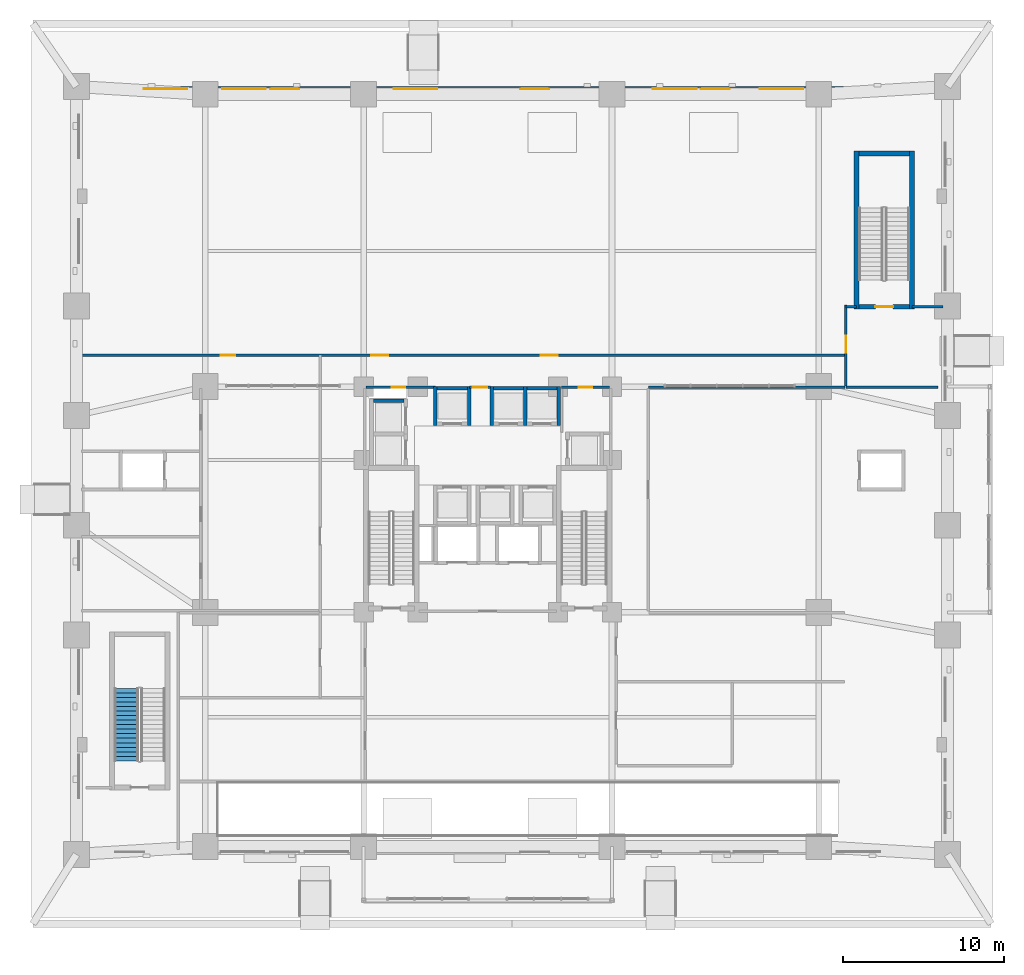
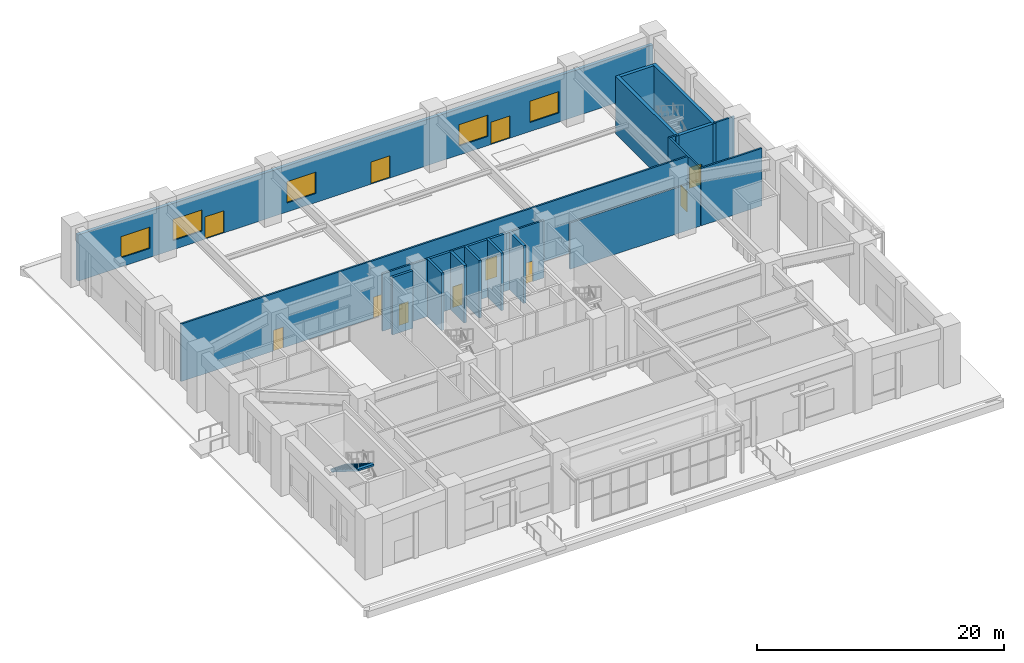
# One storey, part 16 of 24: 23 walls, 11 doors, 5 windows, 1 stair flight, 16 openings, 1 element without a shape of its own.
"""IFC4 building model written with IfcOpenShell, lengths in metres."""

from ifc_helpers import new_model, si_unit, derived_unit, direction, frame, frame_2d, origin, place, context, subcontext, project, spatial, polyline, rectangle, outline, extrude, material, layer, layer_set, type_object, element, fill, aggregate, save


model = new_model("IFC4")

# Units and contexts
model_context = context("Model", 3, precision=1e-05, world=origin(), true_north=direction((0.0, 1.0)))
body_context = subcontext(model_context, "Body", "Model", "MODEL_VIEW")
ifc_project = project(units=[si_unit("LENGTHUNIT", "METRE"), si_unit("AREAUNIT", "SQUARE_METRE"), si_unit("VOLUMEUNIT", "CUBIC_METRE"), si_unit("PLANEANGLEUNIT", "RADIAN"), si_unit("MASSUNIT", "GRAM", prefix="KILO"), derived_unit("THERMALTRANSMITTANCEUNIT", [(si_unit("MASSUNIT", "GRAM", prefix="KILO"), 1), (si_unit("TIMEUNIT", "SECOND"), -3), (si_unit("THERMODYNAMICTEMPERATUREUNIT", "KELVIN"), -1)])], contexts=[model_context])

# Site, building, storey
site_placement = place(None, origin())
site = spatial("IfcSite", under=ifc_project, at=site_placement, CompositionType="ELEMENT")
building_placement = place(site_placement, origin())
building = spatial("IfcBuilding", under=site, at=building_placement, Name="Korrvale Station Residences", CompositionType="ELEMENT")
storey_placement = place(building_placement, origin())
storey = spatial("IfcBuildingStorey", under=building, at=storey_placement, Name="L00", CompositionType="ELEMENT", Elevation=0.0)

# Walls
ifc_material_1 = material(Name="Concrete C70/85", Category="concrete")
ifc_layer_1 = layer(ifc_material_1, 0.300048828125, Name="Concrete C70/85")
ifc_layer_set_1 = layer_set([ifc_layer_1], Name="Concrete C70/85")
wall_type_1 = type_object("IfcWallType", Name="WAL-CORE-300-C70", PredefinedType="SHEAR", material=ifc_layer_set_1)
for number, where, z_axis, x_axis, name in (
    (1, (48.35009765625, 33.800048828125, 0.0), (0.0, 0.0, 1.0), (0.0, 1.0, 0.0), "L00 ST-4 Core Shear Wall West"),
    (2, (51.800048828125, 33.800048828125, 0.0), (0.0, 0.0, 1.0), (0.0, 1.0, 0.0), "L00 ST-4 Core Shear Wall East"),
):
    element("IfcWall", number, at=place(storey_placement, frame(where, z_axis=z_axis, x_axis=x_axis)), inside=storey, type_object=wall_type_1, Name=name, PredefinedType="SHEAR", context=body_context, shape_type="SweptSolid", body=[
        extrude(rectangle(XDim=9.800048828125, YDim=0.300048828125, at=frame_2d((4.89990234375, 0.0))), origin(), (0.0, 0.0, 1.0), 5.679931640625),
    ])
wall_1_placement = place(storey_placement, frame((48.5, 43.449951171875, 0.0), z_axis=(0.0, 0.0, 1.0), x_axis=(1.0, 0.0, 0.0)))
element("IfcWall", 3, at=wall_1_placement, inside=storey, type_object=wall_type_1, Name="L00 ST-4 Core Shear Wall North", PredefinedType="SHEAR", context=body_context, shape_type="SweptSolid", body=[
    extrude(rectangle(XDim=3.14990234375, YDim=0.300048828125, at=frame_2d((1.574951171875, 0.0))), origin(), (0.0, 0.0, 1.0), 5.679931640625),
])

# Wall, opening, door
wall_2_placement = place(storey_placement, frame((48.5, 33.949951171875, 0.0), z_axis=(0.0, 0.0, 1.0), x_axis=(1.0, 0.0, 0.0)))
wall_2 = element("IfcWall", 4, at=wall_2_placement, inside=storey, type_object=wall_type_1, Name="L00 ST-4 Core Shear Wall South", PredefinedType="SHEAR", context=body_context, shape_type="SweptSolid", body=[
    extrude(rectangle(XDim=3.14990234375, YDim=0.300048828125, at=frame_2d((1.574951171875, 0.0))), origin(), (0.0, 0.0, 1.0), 5.679931640625),
])
opening_1_placement = place(wall_2_placement, frame((1.02001953125, 0.0, 0.0)))
opening_1 = element("IfcOpeningElement", 5, at=opening_1_placement, cuts=wall_2, Name="Opening SD-1100", PredefinedType="OPENING", context=body_context, shape_type="SweptSolid", body=[
    extrude(rectangle(XDim=1.10009765625, YDim=2.050048828125, at=frame_2d((0.550048828125, 1.02490234375))), frame((0.0, 0.16015625, 0.0), z_axis=(0.0, -1.0, 0.0), x_axis=(1.0, 0.0, 0.0)), (0.0, 0.0, 1.0), 0.320068359375),
])
ifc_material_2 = material(Name="Hollow-metal fire-rated stair door with closer", Category="steel")
door_type_1 = type_object("IfcDoorType", Name="DR-STAIR-1100", OperationType="NOTDEFINED", PredefinedType="DOOR", material=ifc_material_2)
door_1_placement = place(opening_1_placement, origin())
door_1 = element("IfcDoor", 6, at=door_1_placement, inside=storey, type_object=door_type_1, Name="L00 ST-4 Exit Stair Door", OperationType="SINGLE_SWING_RIGHT", OverallHeight=2.050048828125, OverallWidth=1.10009765625, PredefinedType="DOOR", context=body_context, shape_type="SweptSolid", body=[
    extrude(rectangle(XDim=1.10009765625, YDim=2.050048828125, at=frame_2d((0.550048828125, 1.02490234375))), frame((0.0, 0.02490234375, 0.0), z_axis=(0.0, -1.0, 0.0), x_axis=(1.0, 0.0, 0.0)), (0.0, 0.0, 1.0), 0.050048828125),
])
fill(opening_1, door_1)

# Wall, openings, doors, windows
ifc_material_3 = material(Name="Precast concrete C45/55", Category="concrete")
ifc_layer_2 = layer(ifc_material_3, 0.300048828125, Name="Precast concrete C45/55")
ifc_layer_set_2 = layer_set([ifc_layer_2], Name="Precast concrete C45/55")
wall_type_2 = type_object("IfcWallType", Name="WAL-EXT-PC300", PredefinedType="SOLIDWALL", material=ifc_layer_set_2)
wall_3_placement = place(storey_placement, frame((0.159912109375, 47.449951171875, 0.0), z_axis=(0.0, 0.0, 1.0), x_axis=(1.0, 0.0, 0.0)))
wall_3 = element("IfcWall", 7, at=wall_3_placement, inside=storey, type_object=wall_type_2, Name="L00 North Exterior Precast Wall 1", PredefinedType="SOLIDWALL", context=body_context, shape_type="SweptSolid", body=[
    extrude(rectangle(XDim=53.68017578125, YDim=0.300048828125, at=frame_2d((26.840087890625, 0.0))), origin(), (0.0, 0.0, 1.0), 4.56494140625),
])
opening_2_placement = place(wall_3_placement, frame((27.340087890625, 0.0, 0.0)))
opening_2 = element("IfcOpeningElement", 8, at=opening_2_placement, cuts=wall_3, Name="Opening ED-01", PredefinedType="OPENING", context=body_context, shape_type="SweptSolid", body=[
    extrude(rectangle(XDim=1.800048828125, YDim=2.199951171875, at=frame_2d((0.89990234375, 1.10009765625))), frame((0.0, 0.16015625, 0.0), z_axis=(0.0, -1.0, 0.0), x_axis=(1.0, 0.0, 0.0)), (0.0, 0.0, 1.0), 0.320068359375),
])
opening_3_placement = place(wall_3_placement, frame((11.840087890625, 0.0, 0.0)))
opening_3 = element("IfcOpeningElement", 9, at=opening_3_placement, cuts=wall_3, Name="Opening ED-01", PredefinedType="OPENING", context=body_context, shape_type="SweptSolid", body=[
    extrude(rectangle(XDim=1.800048828125, YDim=2.199951171875, at=frame_2d((0.89990234375, 1.10009765625))), frame((0.0, 0.16015625, 0.0), z_axis=(0.0, -1.0, 0.0), x_axis=(1.0, 0.0, 0.0)), (0.0, 0.0, 1.0), 0.320068359375),
])
opening_4_placement = place(wall_3_placement, frame((38.5400390625, 0.0, 0.0)))
opening_4 = element("IfcOpeningElement", 10, at=opening_4_placement, cuts=wall_3, Name="Opening ED-01", PredefinedType="OPENING", context=body_context, shape_type="SweptSolid", body=[
    extrude(rectangle(XDim=1.800048828125, YDim=2.199951171875, at=frame_2d((0.89990234375, 1.10009765625))), frame((0.0, 0.16015625, 0.0), z_axis=(0.0, -1.0, 0.0), x_axis=(1.0, 0.0, 0.0)), (0.0, 0.0, 1.0), 0.320068359375),
])
opening_5_placement = place(wall_3_placement, frame((4.0, 0.0, 0.89990234375)))
opening_5 = element("IfcOpeningElement", 11, at=opening_5_placement, cuts=wall_3, Name="Opening W-07", PredefinedType="OPENING", context=body_context, shape_type="SweptSolid", body=[
    extrude(rectangle(XDim=2.699951171875, YDim=2.10009765625, at=frame_2d((1.35009765625, 1.050048828125))), frame((0.0, 0.16015625, 0.0), z_axis=(0.0, -1.0, 0.0), x_axis=(1.0, 0.0, 0.0)), (0.0, 0.0, 1.0), 0.320068359375),
])
opening_6_placement = place(wall_3_placement, frame((8.8798828125, 0.0, 0.89990234375)))
opening_6 = element("IfcOpeningElement", 12, at=opening_6_placement, cuts=wall_3, Name="Opening W-07", PredefinedType="OPENING", context=body_context, shape_type="SweptSolid", body=[
    extrude(rectangle(XDim=2.699951171875, YDim=2.10009765625, at=frame_2d((1.35009765625, 1.050048828125))), frame((0.0, 0.16015625, 0.0), z_axis=(0.0, -1.0, 0.0), x_axis=(1.0, 0.0, 0.0)), (0.0, 0.0, 1.0), 0.320068359375),
])
opening_7_placement = place(wall_3_placement, frame((19.5, 0.0, 0.89990234375)))
opening_7 = element("IfcOpeningElement", 13, at=opening_7_placement, cuts=wall_3, Name="Opening W-07", PredefinedType="OPENING", context=body_context, shape_type="SweptSolid", body=[
    extrude(rectangle(XDim=2.699951171875, YDim=2.10009765625, at=frame_2d((1.35009765625, 1.050048828125))), frame((0.0, 0.16015625, 0.0), z_axis=(0.0, -1.0, 0.0), x_axis=(1.0, 0.0, 0.0)), (0.0, 0.0, 1.0), 0.320068359375),
])
opening_8_placement = place(wall_3_placement, frame((35.580078125, 0.0, 0.89990234375)))
opening_8 = element("IfcOpeningElement", 14, at=opening_8_placement, cuts=wall_3, Name="Opening W-07", PredefinedType="OPENING", context=body_context, shape_type="SweptSolid", body=[
    extrude(rectangle(XDim=2.699951171875, YDim=2.10009765625, at=frame_2d((1.35009765625, 1.050048828125))), frame((0.0, 0.16015625, 0.0), z_axis=(0.0, -1.0, 0.0), x_axis=(1.0, 0.0, 0.0)), (0.0, 0.0, 1.0), 0.320068359375),
])
opening_9_placement = place(wall_3_placement, frame((42.199951171875, 0.0, 0.89990234375)))
opening_9 = element("IfcOpeningElement", 15, at=opening_9_placement, cuts=wall_3, Name="Opening W-07", PredefinedType="OPENING", context=body_context, shape_type="SweptSolid", body=[
    extrude(rectangle(XDim=2.699951171875, YDim=2.10009765625, at=frame_2d((1.35009765625, 1.050048828125))), frame((0.0, 0.16015625, 0.0), z_axis=(0.0, -1.0, 0.0), x_axis=(1.0, 0.0, 0.0)), (0.0, 0.0, 1.0), 0.320068359375),
])
ifc_material_4 = material(Name="Thermally broken glazed aluminium entrance door", Category="aluminium")
door_type_2 = type_object("IfcDoorType", Name="DR-EXT-EXIT", OperationType="DOUBLE_SWING_LEFT", PredefinedType="DOOR", material=ifc_material_4)
door_2_placement = place(opening_2_placement, origin())
door_2 = element("IfcDoor", 16, at=door_2_placement, inside=storey, type_object=door_type_2, Name="North Station Concourse Main Entrance Door", OperationType="DOUBLE_SWING_LEFT", OverallHeight=2.199951171875, OverallWidth=1.800048828125, PredefinedType="DOOR", context=body_context, shape_type="SweptSolid", body=[
    extrude(rectangle(XDim=1.800048828125, YDim=2.199951171875, at=frame_2d((0.89990234375, 1.10009765625))), frame((0.0, 0.02490234375, 0.0), z_axis=(0.0, -1.0, 0.0), x_axis=(1.0, 0.0, 0.0)), (0.0, 0.0, 1.0), 0.050048828125),
])
fill(opening_2, door_2)
door_3_placement = place(opening_3_placement, origin())
door_3 = element("IfcDoor", 17, at=door_3_placement, inside=storey, type_object=door_type_2, Name="North West Station Plaza Exit Door", OperationType="DOUBLE_SWING_LEFT", OverallHeight=2.199951171875, OverallWidth=1.800048828125, PredefinedType="DOOR", context=body_context, shape_type="SweptSolid", body=[
    extrude(rectangle(XDim=1.800048828125, YDim=2.199951171875, at=frame_2d((0.89990234375, 1.10009765625))), frame((0.0, 0.02490234375, 0.0), z_axis=(0.0, -1.0, 0.0), x_axis=(1.0, 0.0, 0.0)), (0.0, 0.0, 1.0), 0.050048828125),
])
fill(opening_3, door_3)
door_4_placement = place(opening_4_placement, origin())
door_4 = element("IfcDoor", 18, at=door_4_placement, inside=storey, type_object=door_type_2, Name="North East Station Plaza Exit Door", OperationType="DOUBLE_SWING_LEFT", OverallHeight=2.199951171875, OverallWidth=1.800048828125, PredefinedType="DOOR", context=body_context, shape_type="SweptSolid", body=[
    extrude(rectangle(XDim=1.800048828125, YDim=2.199951171875, at=frame_2d((0.89990234375, 1.10009765625))), frame((0.0, 0.02490234375, 0.0), z_axis=(0.0, -1.0, 0.0), x_axis=(1.0, 0.0, 0.0)), (0.0, 0.0, 1.0), 0.050048828125),
])
fill(opening_4, door_4)
ifc_material_5 = material(Name="Thermally broken aluminium frame with triple low-e glazing", Category="aluminium")
window_type = type_object("IfcWindowType", Name="WIN-W07", PartitioningType="TRIPLE_PANEL_VERTICAL", PredefinedType="WINDOW", material=ifc_material_5)
window_1_placement = place(opening_5_placement, origin())
window_1 = element("IfcWindow", 19, at=window_1_placement, inside=storey, type_object=window_type, Name="L00 Station Concourse Punched Window 01", OverallHeight=2.10009765625, OverallWidth=2.699951171875, PartitioningType="TRIPLE_PANEL_VERTICAL", PredefinedType="WINDOW", context=body_context, shape_type="SweptSolid", body=[
    extrude(rectangle(XDim=2.699951171875, YDim=2.10009765625, at=frame_2d((1.35009765625, 1.050048828125))), frame((0.0, 0.030029296875, 0.0), z_axis=(0.0, -1.0, 0.0), x_axis=(1.0, 0.0, 0.0)), (0.0, 0.0, 1.0), 0.06005859375),
])
fill(opening_5, window_1)
window_2_placement = place(opening_6_placement, origin())
window_2 = element("IfcWindow", 20, at=window_2_placement, inside=storey, type_object=window_type, Name="L00 Station Concourse Punched Window 02", OverallHeight=2.10009765625, OverallWidth=2.699951171875, PartitioningType="TRIPLE_PANEL_VERTICAL", PredefinedType="WINDOW", context=body_context, shape_type="SweptSolid", body=[
    extrude(rectangle(XDim=2.699951171875, YDim=2.10009765625, at=frame_2d((1.35009765625, 1.050048828125))), frame((0.0, 0.030029296875, 0.0), z_axis=(0.0, -1.0, 0.0), x_axis=(1.0, 0.0, 0.0)), (0.0, 0.0, 1.0), 0.06005859375),
])
fill(opening_6, window_2)
window_3_placement = place(opening_7_placement, origin())
window_3 = element("IfcWindow", 21, at=window_3_placement, inside=storey, type_object=window_type, Name="L00 Station Concourse Punched Window 03", OverallHeight=2.10009765625, OverallWidth=2.699951171875, PartitioningType="TRIPLE_PANEL_VERTICAL", PredefinedType="WINDOW", context=body_context, shape_type="SweptSolid", body=[
    extrude(rectangle(XDim=2.699951171875, YDim=2.10009765625, at=frame_2d((1.35009765625, 1.050048828125))), frame((0.0, 0.030029296875, 0.0), z_axis=(0.0, -1.0, 0.0), x_axis=(1.0, 0.0, 0.0)), (0.0, 0.0, 1.0), 0.06005859375),
])
fill(opening_7, window_3)
window_4_placement = place(opening_8_placement, origin())
window_4 = element("IfcWindow", 22, at=window_4_placement, inside=storey, type_object=window_type, Name="L00 Station Concourse Punched Window 04", OverallHeight=2.10009765625, OverallWidth=2.699951171875, PartitioningType="TRIPLE_PANEL_VERTICAL", PredefinedType="WINDOW", context=body_context, shape_type="SweptSolid", body=[
    extrude(rectangle(XDim=2.699951171875, YDim=2.10009765625, at=frame_2d((1.35009765625, 1.050048828125))), frame((0.0, 0.030029296875, 0.0), z_axis=(0.0, -1.0, 0.0), x_axis=(1.0, 0.0, 0.0)), (0.0, 0.0, 1.0), 0.06005859375),
])
fill(opening_8, window_4)
window_5_placement = place(opening_9_placement, origin())
window_5 = element("IfcWindow", 23, at=window_5_placement, inside=storey, type_object=window_type, Name="L00 Station Concourse Punched Window 05", OverallHeight=2.10009765625, OverallWidth=2.699951171875, PartitioningType="TRIPLE_PANEL_VERTICAL", PredefinedType="WINDOW", context=body_context, shape_type="SweptSolid", body=[
    extrude(rectangle(XDim=2.699951171875, YDim=2.10009765625, at=frame_2d((1.35009765625, 1.050048828125))), frame((0.0, 0.030029296875, 0.0), z_axis=(0.0, -1.0, 0.0), x_axis=(1.0, 0.0, 0.0)), (0.0, 0.0, 1.0), 0.06005859375),
])
fill(opening_9, window_5)

# Wall, opening, door
ifc_material_6 = material(Name="Fire-rated twin-stud gypsum and mineral wool shaftwall assembly", Category="gypsum")
ifc_layer_3 = layer(ifc_material_6, 0.159912109375, Name="Fire-rated twin-stud gypsum and mineral wool shaftwall assembly")
ifc_layer_set_3 = layer_set([ifc_layer_3], Name="Fire-rated twin-stud gypsum and mineral wool shaftwall assembly")
wall_type_3 = type_object("IfcWallType", Name="WAL-PART-200", PredefinedType="PARTITIONING", material=ifc_layer_set_3)
wall_4_placement = place(storey_placement, frame((24.360107421875, 28.949951171875, 0.0), z_axis=(0.0, 0.0, 1.0), x_axis=(1.0, 0.0, 0.0)))
wall_4 = element("IfcWall", 24, at=wall_4_placement, inside=storey, type_object=wall_type_3, Name="L00 Core Partition CW-LLOB-N", PredefinedType="PARTITIONING", context=body_context, shape_type="SweptSolid", body=[
    extrude(rectangle(XDim=1.31982421875, YDim=0.159912109375, at=frame_2d((0.659912109375, 0.0))), origin(), (0.0, 0.0, 1.0), 5.679931640625),
])
opening_10_placement = place(wall_4_placement, frame((0.2099609375, 0.0, 0.0)))
opening_10 = element("IfcOpeningElement", 25, at=opening_10_placement, cuts=wall_4, Name="Opening DI-900", PredefinedType="OPENING", context=body_context, shape_type="SweptSolid", body=[
    extrude(rectangle(XDim=0.89990234375, YDim=2.050048828125, at=frame_2d((0.449951171875, 1.02490234375))), frame((0.0, 0.08984375, 0.0), z_axis=(0.0, -1.0, 0.0), x_axis=(1.0, 0.0, 0.0)), (0.0, 0.0, 1.0), 0.179931640625),
])
ifc_material_7 = material(Name="Painted solid-core timber interior room door", Category="wood")
door_type_3 = type_object("IfcDoorType", Name="DR-INT-900", OperationType="NOTDEFINED", PredefinedType="DOOR", material=ifc_material_7)
door_5_placement = place(opening_10_placement, origin())
door_5 = element("IfcDoor", 26, at=door_5_placement, inside=storey, type_object=door_type_3, Name="L00 Central Hallway North Passage Door", OperationType="SINGLE_SWING_RIGHT", OverallHeight=2.050048828125, OverallWidth=0.89990234375, PredefinedType="DOOR", context=body_context, shape_type="SweptSolid", body=[
    extrude(rectangle(XDim=0.89990234375, YDim=2.050048828125, at=frame_2d((0.449951171875, 1.02490234375))), frame((0.0, 0.02490234375, 0.0), z_axis=(0.0, -1.0, 0.0), x_axis=(1.0, 0.0, 0.0)), (0.0, 0.0, 1.0), 0.050048828125),
])
fill(opening_10, door_5)

wall_5_placement = place(storey_placement, frame((17.9599609375, 28.949951171875, 0.0), z_axis=(0.0, 0.0, 1.0), x_axis=(1.0, 0.0, 0.0)))
wall_5 = element("IfcWall", 27, at=wall_5_placement, inside=storey, type_object=wall_type_3, Name="L00 Core Partition CW-NW", PredefinedType="PARTITIONING", context=body_context, shape_type="SweptSolid", body=[
    extrude(rectangle(XDim=4.2900390625, YDim=0.159912109375, at=frame_2d((2.14501953125, 0.0))), origin(), (0.0, 0.0, 1.0), 5.679931640625),
])
opening_11_placement = place(wall_5_placement, frame((1.570068359375, 0.0, 0.0)))
opening_11 = element("IfcOpeningElement", 28, at=opening_11_placement, cuts=wall_5, Name="Opening DB-860", PredefinedType="OPENING", context=body_context, shape_type="SweptSolid", body=[
    extrude(rectangle(XDim=0.860107421875, YDim=2.050048828125, at=frame_2d((0.43017578125, 1.02490234375))), frame((0.0, 0.08984375, 0.0), z_axis=(0.0, -1.0, 0.0), x_axis=(1.0, 0.0, 0.0)), (0.0, 0.0, 1.0), 0.179931640625),
])
ifc_material_8 = material(Name="Moisture-resistant solid-core bathroom door", Category="timber")
door_type_4 = type_object("IfcDoorType", Name="DR-BATH-860", OperationType="NOTDEFINED", PredefinedType="DOOR", material=ifc_material_8)
door_6_placement = place(opening_11_placement, origin())
door_6 = element("IfcDoor", 29, at=door_6_placement, inside=storey, type_object=door_type_4, Name="L00 Electrical Riser Access Door", OperationType="SINGLE_SWING_LEFT", OverallHeight=2.050048828125, OverallWidth=0.860107421875, PredefinedType="DOOR", context=body_context, shape_type="SweptSolid", body=[
    extrude(rectangle(XDim=0.860107421875, YDim=2.050048828125, at=frame_2d((0.43017578125, 1.02490234375))), frame((0.0, 0.02490234375, 0.0), z_axis=(0.0, -1.0, 0.0), x_axis=(1.0, 0.0, 0.0)), (0.0, 0.0, 1.0), 0.050048828125),
])
fill(opening_11, door_6)

wall_6_placement = place(storey_placement, frame((30.080078125, 28.949951171875, 0.0), z_axis=(0.0, 0.0, 1.0), x_axis=(1.0, 0.0, 0.0)))
wall_6 = element("IfcWall", 30, at=wall_6_placement, inside=storey, type_object=wall_type_3, Name="L00 Core Partition CW-CS-N", PredefinedType="PARTITIONING", context=body_context, shape_type="SweptSolid", body=[
    extrude(rectangle(XDim=2.9599609375, YDim=0.159912109375, at=frame_2d((1.47998046875, 0.0))), origin(), (0.0, 0.0, 1.0), 5.679931640625),
])
opening_12_placement = place(wall_6_placement, frame((1.044921875, 0.0, 0.0)))
opening_12 = element("IfcOpeningElement", 31, at=opening_12_placement, cuts=wall_6, Name="Opening DB-860", PredefinedType="OPENING", context=body_context, shape_type="SweptSolid", body=[
    extrude(rectangle(XDim=0.860107421875, YDim=2.050048828125, at=frame_2d((0.43017578125, 1.02490234375))), frame((0.0, 0.08984375, 0.0), z_axis=(0.0, -1.0, 0.0), x_axis=(1.0, 0.0, 0.0)), (0.0, 0.0, 1.0), 0.179931640625),
])
door_7_placement = place(opening_12_placement, origin())
door_7 = element("IfcDoor", 32, at=door_7_placement, inside=storey, type_object=door_type_4, Name="L00 Core Equipment Room Door", OperationType="SINGLE_SWING_RIGHT", OverallHeight=2.050048828125, OverallWidth=0.860107421875, PredefinedType="DOOR", context=body_context, shape_type="SweptSolid", body=[
    extrude(rectangle(XDim=0.860107421875, YDim=2.050048828125, at=frame_2d((0.43017578125, 1.02490234375))), frame((0.0, 0.02490234375, 0.0), z_axis=(0.0, -1.0, 0.0), x_axis=(1.0, 0.0, 0.0)), (0.0, 0.0, 1.0), 0.050048828125),
])
fill(opening_12, door_7)

wall_7_placement = place(storey_placement, frame((47.699951171875, 29.050048828125, 0.0), z_axis=(0.0, 0.0, 1.0), x_axis=(0.0, 1.0, 0.0)))
wall_7 = element("IfcWall", 33, at=wall_7_placement, inside=storey, type_object=wall_type_3, Name="L00 Interior Partition W-EDE-W", PredefinedType="PARTITIONING", context=body_context, shape_type="SweptSolid", body=[
    extrude(rectangle(XDim=5.0, YDim=0.159912109375, at=frame_2d((2.5, 0.0))), origin(), (0.0, 0.0, 1.0), 5.679931640625),
])
opening_13_placement = place(wall_7_placement, frame((2.06005859375, 0.0, 0.0)))
opening_13 = element("IfcOpeningElement", 34, at=opening_13_placement, cuts=wall_7, Name="Opening FD-1050", PredefinedType="OPENING", context=body_context, shape_type="SweptSolid", body=[
    extrude(rectangle(XDim=1.050048828125, YDim=2.050048828125, at=frame_2d((0.52490234375, 1.02490234375))), frame((0.0, 0.08984375, 0.0), z_axis=(0.0, -1.0, 0.0), x_axis=(1.0, 0.0, 0.0)), (0.0, 0.0, 1.0), 0.179931640625),
])
ifc_material_9 = material(Name="Fire-rated mineral-core timber lobby door", Category="wood")
door_type_5 = type_object("IfcDoorType", Name="DR-CORE-1050", OperationType="NOTDEFINED", PredefinedType="DOOR", material=ifc_material_9)
door_8_placement = place(opening_13_placement, origin())
door_8 = element("IfcDoor", 35, at=door_8_placement, inside=storey, type_object=door_type_5, Name="L00 East Exit Passage Door", OperationType="SINGLE_SWING_RIGHT", OverallHeight=2.050048828125, OverallWidth=1.050048828125, PredefinedType="DOOR", context=body_context, shape_type="SweptSolid", body=[
    extrude(rectangle(XDim=1.050048828125, YDim=2.050048828125, at=frame_2d((0.52490234375, 1.02490234375))), frame((0.0, 0.02490234375, 0.0), z_axis=(0.0, -1.0, 0.0), x_axis=(1.0, 0.0, 0.0)), (0.0, 0.0, 1.0), 0.050048828125),
])
fill(opening_13, door_8)

# Walls
wall_8_placement = place(storey_placement, frame((47.699951171875, 28.949951171875, 0.0), z_axis=(0.0, 0.0, 1.0), x_axis=(1.0, 0.0, 0.0)))
element("IfcWall", 36, at=wall_8_placement, inside=storey, type_object=wall_type_3, Name="L00 Interior Partition W-EDE-S", PredefinedType="PARTITIONING", context=body_context, shape_type="SweptSolid", body=[
    extrude(rectangle(XDim=5.699951171875, YDim=0.159912109375, at=frame_2d((2.85009765625, 0.0))), origin(), (0.0, 0.0, 1.0), 5.679931640625),
])
wall_9_placement = place(storey_placement, frame((47.699951171875, 33.949951171875, 0.0), z_axis=(0.0, 0.0, 1.0), x_axis=(1.0, 0.0, 0.0)))
element("IfcWall", 37, at=wall_9_placement, inside=storey, type_object=wall_type_3, Name="L00 Interior Partition W-EDE-N1", PredefinedType="PARTITIONING", context=body_context, shape_type="SweptSolid", body=[
    extrude(rectangle(XDim=0.650146484375, YDim=0.159912109375, at=frame_2d((0.3251953125, 0.0))), origin(), (0.0, 0.0, 1.0), 5.679931640625),
])
wall_10_placement = place(storey_placement, frame((51.800048828125, 33.949951171875, 0.0), z_axis=(0.0, 0.0, 1.0), x_axis=(1.0, 0.0, 0.0)))
element("IfcWall", 38, at=wall_10_placement, inside=storey, type_object=wall_type_3, Name="L00 Interior Partition W-EDE-N2", PredefinedType="PARTITIONING", context=body_context, shape_type="SweptSolid", body=[
    extrude(rectangle(XDim=1.919921875, YDim=0.159912109375, at=frame_2d((0.9599609375, 0.0))), origin(), (0.0, 0.0, 1.0), 5.679931640625),
])

# Wall, openings, doors
wall_11_placement = place(storey_placement, frame((0.300048828125, 30.949951171875, 0.0), z_axis=(0.0, 0.0, 1.0), x_axis=(1.0, 0.0, 0.0)))
wall_11 = element("IfcWall", 39, at=wall_11_placement, inside=storey, type_object=wall_type_3, Name="L00 Interior Partition W-CNC-N", PredefinedType="PARTITIONING", context=body_context, shape_type="SweptSolid", body=[
    extrude(rectangle(XDim=47.349853515625, YDim=0.159912109375, at=frame_2d((23.6748046875, 0.0))), origin(), (0.0, 0.0, 1.0), 5.679931640625),
])
opening_14_placement = place(wall_11_placement, frame((17.97509765625, 0.0, 0.0)))
opening_14 = element("IfcOpeningElement", 40, at=opening_14_placement, cuts=wall_11, Name="Opening FD-1050", PredefinedType="OPENING", context=body_context, shape_type="SweptSolid", body=[
    extrude(rectangle(XDim=1.050048828125, YDim=2.050048828125, at=frame_2d((0.52490234375, 1.02490234375))), frame((0.0, 0.08984375, 0.0), z_axis=(0.0, -1.0, 0.0), x_axis=(1.0, 0.0, 0.0)), (0.0, 0.0, 1.0), 0.179931640625),
])
opening_15_placement = place(wall_11_placement, frame((28.47509765625, 0.0, 0.0)))
opening_15 = element("IfcOpeningElement", 41, at=opening_15_placement, cuts=wall_11, Name="Opening FD-1050", PredefinedType="OPENING", context=body_context, shape_type="SweptSolid", body=[
    extrude(rectangle(XDim=1.050048828125, YDim=2.050048828125, at=frame_2d((0.52490234375, 1.02490234375))), frame((0.0, 0.08984375, 0.0), z_axis=(0.0, -1.0, 0.0), x_axis=(1.0, 0.0, 0.0)), (0.0, 0.0, 1.0), 0.179931640625),
])
opening_16_placement = place(wall_11_placement, frame((8.639892578125, 0.0, 0.0)))
opening_16 = element("IfcOpeningElement", 42, at=opening_16_placement, cuts=wall_11, Name="Opening DI-900", PredefinedType="OPENING", context=body_context, shape_type="SweptSolid", body=[
    extrude(rectangle(XDim=0.89990234375, YDim=2.050048828125, at=frame_2d((0.449951171875, 1.02490234375))), frame((0.0, 0.08984375, 0.0), z_axis=(0.0, -1.0, 0.0), x_axis=(1.0, 0.0, 0.0)), (0.0, 0.0, 1.0), 0.179931640625),
])
door_9_placement = place(opening_14_placement, origin())
door_9 = element("IfcDoor", 43, at=door_9_placement, inside=storey, type_object=door_type_5, Name="L00 Concourse West Hall Door", OperationType="SINGLE_SWING_LEFT", OverallHeight=2.050048828125, OverallWidth=1.050048828125, PredefinedType="DOOR", context=body_context, shape_type="SweptSolid", body=[
    extrude(rectangle(XDim=1.050048828125, YDim=2.050048828125, at=frame_2d((0.52490234375, 1.02490234375))), frame((0.0, 0.02490234375, 0.0), z_axis=(0.0, -1.0, 0.0), x_axis=(1.0, 0.0, 0.0)), (0.0, 0.0, 1.0), 0.050048828125),
])
fill(opening_14, door_9)
door_10_placement = place(opening_15_placement, origin())
door_10 = element("IfcDoor", 44, at=door_10_placement, inside=storey, type_object=door_type_5, Name="L00 Concourse East Hall Door", OperationType="SINGLE_SWING_RIGHT", OverallHeight=2.050048828125, OverallWidth=1.050048828125, PredefinedType="DOOR", context=body_context, shape_type="SweptSolid", body=[
    extrude(rectangle(XDim=1.050048828125, YDim=2.050048828125, at=frame_2d((0.52490234375, 1.02490234375))), frame((0.0, 0.02490234375, 0.0), z_axis=(0.0, -1.0, 0.0), x_axis=(1.0, 0.0, 0.0)), (0.0, 0.0, 1.0), 0.050048828125),
])
fill(opening_15, door_10)
door_11_placement = place(opening_16_placement, origin())
door_11 = element("IfcDoor", 45, at=door_11_placement, inside=storey, type_object=door_type_3, Name="L00 Cafe Concourse Door", OperationType="SINGLE_SWING_LEFT", OverallHeight=2.050048828125, OverallWidth=0.89990234375, PredefinedType="DOOR", context=body_context, shape_type="SweptSolid", body=[
    extrude(rectangle(XDim=0.89990234375, YDim=2.050048828125, at=frame_2d((0.449951171875, 1.02490234375))), frame((0.0, 0.02490234375, 0.0), z_axis=(0.0, -1.0, 0.0), x_axis=(1.0, 0.0, 0.0)), (0.0, 0.0, 1.0), 0.050048828125),
])
fill(opening_16, door_11)

# Walls
wall_12_placement = place(storey_placement, frame((35.449951171875, 28.949951171875, 0.0), z_axis=(0.0, 0.0, 1.0), x_axis=(1.0, 0.0, 0.0)))
element("IfcWall", 46, at=wall_12_placement, inside=storey, type_object=wall_type_3, Name="L00 Interior Partition W-STC-E", PredefinedType="PARTITIONING", context=body_context, shape_type="SweptSolid", body=[
    extrude(rectangle(XDim=12.199951171875, YDim=0.159912109375, at=frame_2d((6.10009765625, 0.0))), origin(), (0.0, 0.0, 1.0), 4.56494140625),
])
ifc_layer_4 = layer(ifc_material_1, 0.219970703125, Name="Concrete C70/85")
ifc_layer_set_4 = layer_set([ifc_layer_4], Name="Concrete C70/85")
wall_type_4 = type_object("IfcWallType", Name="WAL-SHAFT-220-C70", PredefinedType="SHEAR", material=ifc_layer_set_4)
wall_13_placement = place(storey_placement, frame((22.35009765625, 28.909912109375, 0.0), z_axis=(0.0, 0.0, 1.0), x_axis=(1.0, 0.0, 0.0)))
element("IfcWall", 47, at=wall_13_placement, inside=storey, type_object=wall_type_4, Name="L00 Elevator PL-1 Hoistway Wall North", PredefinedType="SHEAR", context=body_context, shape_type="SweptSolid", body=[
    extrude(rectangle(XDim=1.89990234375, YDim=0.219970703125, at=frame_2d((0.949951171875, 0.0))), origin(), (0.0, 0.0, 1.0), 5.679931640625),
])
for number, where, z_axis, x_axis, name in (
    (48, (22.239990234375, 26.580078125, 0.0), (0.0, 0.0, 1.0), (0.0, 1.0, 0.0), "L00 Elevator PL-1 Hoistway Wall West"),
    (49, (24.360107421875, 26.580078125, 0.0), (0.0, 0.0, 1.0), (0.0, 1.0, 0.0), "L00 Elevator PL-1 Hoistway Wall East"),
):
    element("IfcWall", number, at=place(storey_placement, frame(where, z_axis=z_axis, x_axis=x_axis)), inside=storey, type_object=wall_type_4, Name=name, PredefinedType="SHEAR", context=body_context, shape_type="SweptSolid", body=[
        extrude(rectangle(XDim=2.43994140625, YDim=0.219970703125, at=frame_2d((1.219970703125, 0.0))), origin(), (0.0, 0.0, 1.0), 5.679931640625),
    ])
wall_14_placement = place(storey_placement, frame((25.85009765625, 28.909912109375, 0.0), z_axis=(0.0, 0.0, 1.0), x_axis=(1.0, 0.0, 0.0)))
element("IfcWall", 50, at=wall_14_placement, inside=storey, type_object=wall_type_4, Name="L00 Elevator PL-2 Hoistway Wall North", PredefinedType="SHEAR", context=body_context, shape_type="SweptSolid", body=[
    extrude(rectangle(XDim=1.85986328125, YDim=0.219970703125, at=frame_2d((0.929931640625, 0.0))), origin(), (0.0, 0.0, 1.0), 5.679931640625),
])
for number, where, z_axis, x_axis, name in (
    (51, (25.739990234375, 26.580078125, 0.0), (0.0, 0.0, 1.0), (0.0, 1.0, 0.0), "L00 Elevator PL-2 Hoistway Wall West"),
    (52, (27.820068359375, 26.580078125, 0.0), (0.0, 0.0, 1.0), (0.0, 1.0, 0.0), "L00 Elevator PL-2 Hoistway Wall East"),
):
    element("IfcWall", number, at=place(storey_placement, frame(where, z_axis=z_axis, x_axis=x_axis)), inside=storey, type_object=wall_type_4, Name=name, PredefinedType="SHEAR", context=body_context, shape_type="SweptSolid", body=[
        extrude(rectangle(XDim=2.43994140625, YDim=0.219970703125, at=frame_2d((1.219970703125, 0.0))), origin(), (0.0, 0.0, 1.0), 5.679931640625),
    ])
wall_15_placement = place(storey_placement, frame((27.929931640625, 28.909912109375, 0.0), z_axis=(0.0, 0.0, 1.0), x_axis=(1.0, 0.0, 0.0)))
element("IfcWall", 53, at=wall_15_placement, inside=storey, type_object=wall_type_4, Name="L00 Elevator PL-3 Hoistway Wall North", PredefinedType="SHEAR", context=body_context, shape_type="SweptSolid", body=[
    extrude(rectangle(XDim=1.860107421875, YDim=0.219970703125, at=frame_2d((0.93017578125, 0.0))), origin(), (0.0, 0.0, 1.0), 5.679931640625),
])
wall_16_placement = place(storey_placement, frame((29.89990234375, 26.580078125, 0.0), z_axis=(0.0, 0.0, 1.0), x_axis=(0.0, 1.0, 0.0)))
element("IfcWall", 54, at=wall_16_placement, inside=storey, type_object=wall_type_4, Name="L00 Elevator PL-3 Hoistway Wall East", PredefinedType="SHEAR", context=body_context, shape_type="SweptSolid", body=[
    extrude(rectangle(XDim=2.43994140625, YDim=0.219970703125, at=frame_2d((1.219970703125, 0.0))), origin(), (0.0, 0.0, 1.0), 5.679931640625),
])
wall_17_placement = place(storey_placement, frame((18.39990234375, 28.1298828125, 0.0), z_axis=(0.0, 0.0, 1.0), x_axis=(1.0, 0.0, 0.0)))
element("IfcWall", 55, at=wall_17_placement, inside=storey, type_object=wall_type_4, Name="L00 Elevator PH-2 Hoistway Wall North", PredefinedType="SHEAR", context=body_context, shape_type="SweptSolid", body=[
    extrude(rectangle(XDim=1.900146484375, YDim=0.219970703125, at=frame_2d((0.9501953125, 0.0))), origin(), (0.0, 0.0, 1.0), 5.679931640625),
])

# Stair, stair flight
ifc_material_10 = material(Name="Concrete C50/60", Category="concrete")
stair_type = type_object("IfcStairType", Name="STR-DL-1500-34R-1765", PredefinedType="HALF_TURN_STAIR", material=ifc_material_10)
stair_placement = place(storey_placement, origin())
stair = element("IfcStair", 56, at=stair_placement, inside=storey, type_object=stair_type, Name="L00 Station Exit Stair 3", PredefinedType="HALF_TURN_STAIR")
stair_flight_type = type_object("IfcStairFlightType", Name="FLT-DL-1500-34R-1765", PredefinedType="STRAIGHT", material=ifc_material_10)
stair_flight_placement = place(storey_placement, frame((3.10009765625, 10.280029296875, 3.0), z_axis=(0.0, 0.0, 1.0), x_axis=(0.0, -1.0, 0.0)))
stair_flight = element("IfcStairFlight", 57, at=stair_flight_placement, type_object=stair_flight_type, Name="ST-3 flight 2", NumberOfRisers=17, NumberOfTreads=16, PredefinedType="STRAIGHT", RiserHeight=0.176470588, TreadLength=0.28, context=body_context, shape_type="SweptSolid", body=[
    extrude(outline(polyline([(0.0, 0.0), (0.0, 0.176513671875), (0.280029296875, 0.176513671875), (0.280029296875, 0.35302734375), (0.56005859375, 0.35302734375), (0.56005859375, 0.529296875), (0.840087890625, 0.529296875), (0.840087890625, 0.705810546875), (1.1201171875, 0.705810546875), (1.1201171875, 0.88232421875), (1.39990234375, 0.88232421875), (1.39990234375, 1.058837890625), (1.679931640625, 1.058837890625), (1.679931640625, 1.2353515625), (1.9599609375, 1.2353515625), (1.9599609375, 1.411865234375), (2.239990234375, 1.411865234375), (2.239990234375, 1.588134765625), (2.52001953125, 1.588134765625), (2.52001953125, 1.7646484375), (2.800048828125, 1.7646484375), (2.800048828125, 1.941162109375), (3.080078125, 1.941162109375), (3.080078125, 2.11767578125), (3.360107421875, 2.11767578125), (3.360107421875, 2.294189453125), (3.639892578125, 2.294189453125), (3.639892578125, 2.470703125), (3.919921875, 2.470703125), (3.919921875, 2.64697265625), (4.199951171875, 2.64697265625), (4.199951171875, 2.823486328125), (4.47998046875, 2.823486328125), (4.47998046875, 3.0), (4.47998046875, 2.646240234375), (0.28125, 0.0), (0.0, 0.0)])), frame((0.0, 0.75, 0.0), z_axis=(0.0, -1.0, 0.0), x_axis=(1.0, 0.0, 0.0)), (0.0, 0.0, 1.0), 1.5),
])
aggregate(stair, [stair_flight])

save(model, "model.ifc")
